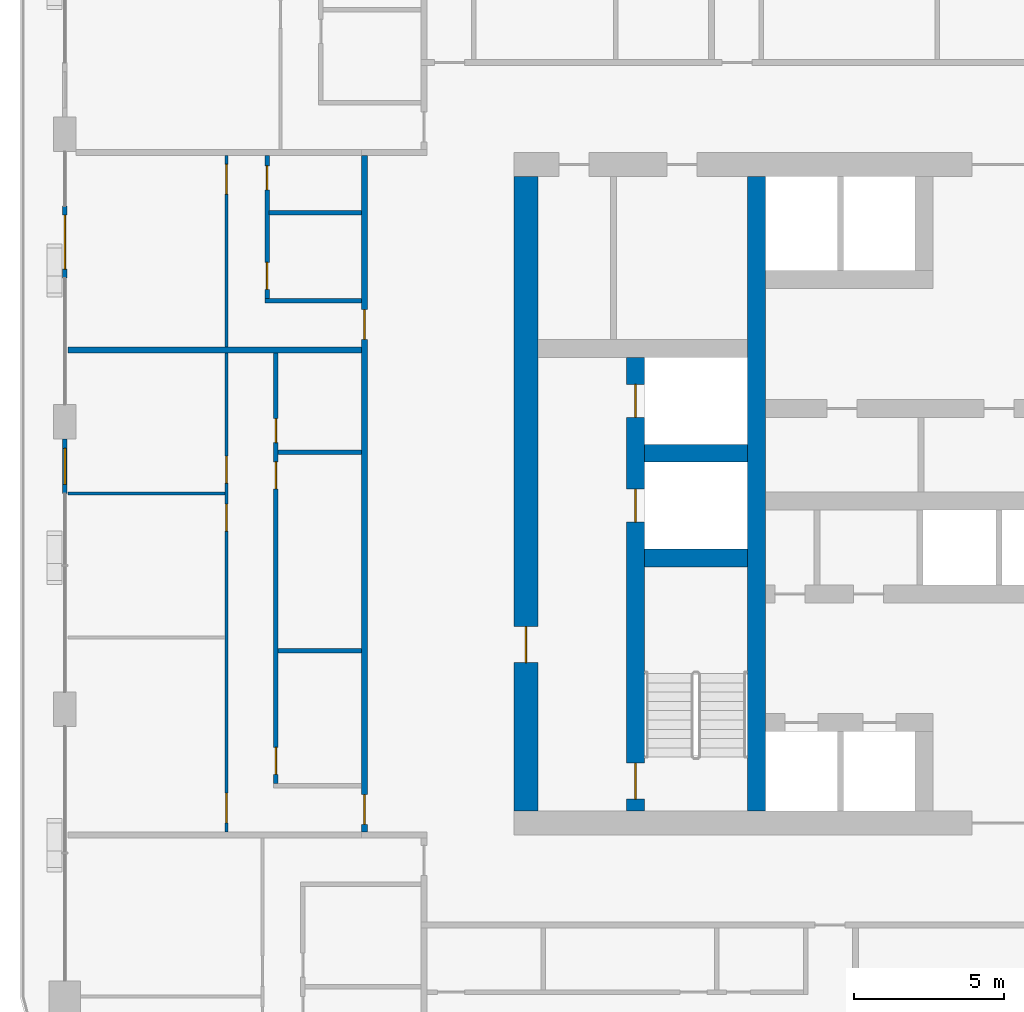
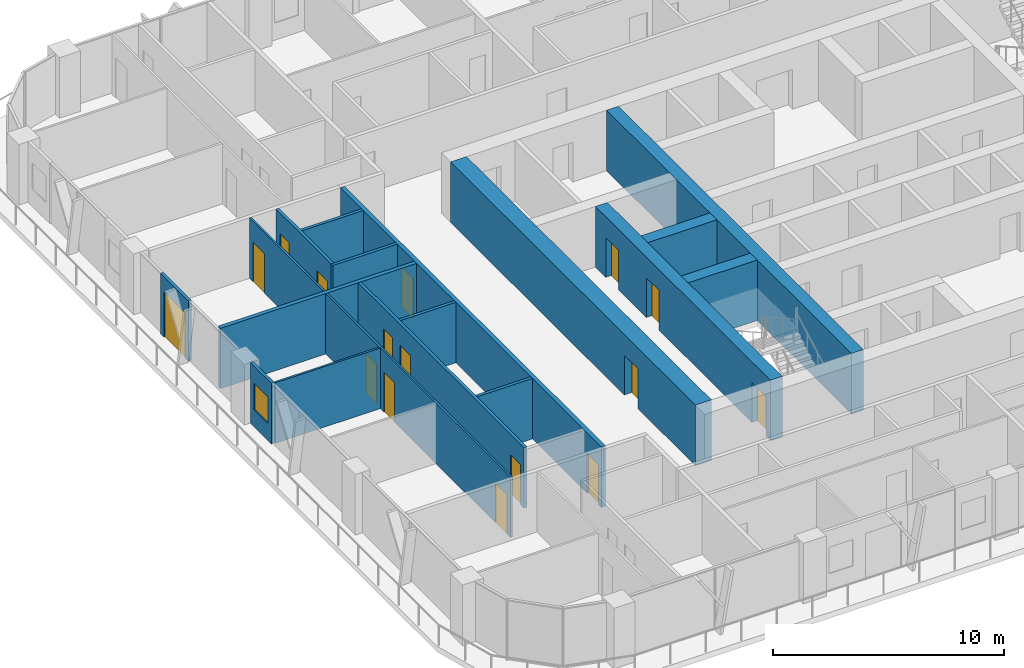
# One storey, part 10 of 23: 18 walls, 16 doors, 1 window, 17 openings.
"""IFC4 building model written with IfcOpenShell, lengths in metres."""

from ifc_helpers import new_model, si_unit, direction, frame, frame_2d, origin, place, context, subcontext, project, spatial, rectangle, extrude, material, layer, layer_set, type_object, element, fill, save


model = new_model("IFC4")

# Units and contexts
model_context = context("Model", 3, precision=1e-05, world=origin(), true_north=direction((0.0, 1.0)))
body_context = subcontext(model_context, "Body", "Model", "MODEL_VIEW")
ifc_project = project(units=[si_unit("LENGTHUNIT", "METRE"), si_unit("AREAUNIT", "SQUARE_METRE"), si_unit("VOLUMEUNIT", "CUBIC_METRE"), si_unit("PLANEANGLEUNIT", "RADIAN"), si_unit("MASSUNIT", "GRAM", prefix="KILO")], contexts=[model_context])

# Site, building, storey
site_placement = place(None, origin())
site = spatial("IfcSite", under=ifc_project, at=site_placement, CompositionType="ELEMENT")
building_placement = place(site_placement, origin())
building = spatial("IfcBuilding", under=site, at=building_placement, Name="Madar Terraces", CompositionType="ELEMENT")
storey_placement = place(building_placement, frame((0.0, 0.0, 133.10009765625)))
storey = spatial("IfcBuildingStorey", under=building, at=storey_placement, Name="L34", CompositionType="ELEMENT", Elevation=133.10009765625)

# Wall, openings, doors
ifc_material_1 = material(Name="Concrete C70/85", Category="concrete")
ifc_layer_1 = layer(ifc_material_1, 0.60009765625)
ifc_layer_set_1 = layer_set([ifc_layer_1], Name="Concrete C70/85 (CIW3 RC wall 600)")
wall_type_1 = type_object("IfcWallType", Name="CIW3 RC wall 600", PredefinedType="SHEAR", material=ifc_layer_set_1)
wall_1_placement = place(storey_placement, frame((19.050048828125, 15.800048828125, 0.0), z_axis=(0.0, 0.0, 1.0), x_axis=(0.0, 1.0, 0.0)))
wall_1 = element("IfcWall", 1, at=wall_1_placement, inside=storey, type_object=wall_type_1, Name="CORE SHAFT WALL", PredefinedType="SHEAR", context=body_context, shape_type="SweptSolid", body=[
    extrude(rectangle(XDim=15.14990234375, YDim=0.60009765625, at=frame_2d((7.574951171875, 0.0))), origin(), (0.0, 0.0, 1.0), 3.199951171875),
])
opening_1_placement = place(wall_1_placement, frame((9.64990234375, 0.0, 0.0)))
opening_1 = element("IfcOpeningElement", 2, at=opening_1_placement, cuts=wall_1, Name="Opening LD", PredefinedType="OPENING", context=body_context, shape_type="SweptSolid", body=[
    extrude(rectangle(XDim=1.10009765625, YDim=2.10009765625, at=frame_2d((0.550048828125, 1.050048828125))), frame((0.0, 0.31005859375, 0.0), z_axis=(0.0, -1.0, 0.0), x_axis=(1.0, 0.0, 0.0)), (0.0, 0.0, 1.0), 0.6201171875),
])
opening_2_placement = place(wall_1_placement, frame((13.14990234375, 0.0, 0.0)))
opening_2 = element("IfcOpeningElement", 3, at=opening_2_placement, cuts=wall_1, Name="Opening LD", PredefinedType="OPENING", context=body_context, shape_type="SweptSolid", body=[
    extrude(rectangle(XDim=1.10009765625, YDim=2.10009765625, at=frame_2d((0.550048828125, 1.050048828125))), frame((0.0, 0.31005859375, 0.0), z_axis=(0.0, -1.0, 0.0), x_axis=(1.0, 0.0, 0.0)), (0.0, 0.0, 1.0), 0.6201171875),
])
opening_3_placement = place(wall_1_placement, frame((0.39990234375, 0.0, 0.0)))
opening_3 = element("IfcOpeningElement", 4, at=opening_3_placement, cuts=wall_1, Name="Opening SD1", PredefinedType="OPENING", context=body_context, shape_type="SweptSolid", body=[
    extrude(rectangle(XDim=1.199951171875, YDim=2.10009765625, at=frame_2d((0.60009765625, 1.050048828125))), frame((0.0, 0.31005859375, 0.0), z_axis=(0.0, -1.0, 0.0), x_axis=(1.0, 0.0, 0.0)), (0.0, 0.0, 1.0), 0.6201171875),
])
ifc_material_2 = material(Name="Stainless steel panel", Category="steel")
door_type_1 = type_object("IfcDoorType", Name="Lift landing door 1100 x 2100", OperationType="DOUBLE_DOOR_SLIDING", PredefinedType="DOOR", material=ifc_material_2)
door_1_placement = place(opening_1_placement, origin())
door_1 = element("IfcDoor", 5, at=door_1_placement, inside=storey, type_object=door_type_1, Name="LIFT LANDING DOOR", OperationType="DOUBLE_DOOR_SLIDING", OverallHeight=2.10009765625, OverallWidth=1.10009765625, PredefinedType="DOOR", context=body_context, shape_type="SweptSolid", body=[
    extrude(rectangle(XDim=1.10009765625, YDim=2.10009765625, at=frame_2d((0.550048828125, 1.050048828125))), frame((0.0, 0.02490234375, 0.0), z_axis=(0.0, -1.0, 0.0), x_axis=(1.0, 0.0, 0.0)), (0.0, 0.0, 1.0), 0.050048828125),
])
fill(opening_1, door_1)
door_2_placement = place(opening_2_placement, origin())
door_2 = element("IfcDoor", 6, at=door_2_placement, inside=storey, type_object=door_type_1, Name="LIFT LANDING DOOR", OperationType="DOUBLE_DOOR_SLIDING", OverallHeight=2.10009765625, OverallWidth=1.10009765625, PredefinedType="DOOR", context=body_context, shape_type="SweptSolid", body=[
    extrude(rectangle(XDim=1.10009765625, YDim=2.10009765625, at=frame_2d((0.550048828125, 1.050048828125))), frame((0.0, 0.02490234375, 0.0), z_axis=(0.0, -1.0, 0.0), x_axis=(1.0, 0.0, 0.0)), (0.0, 0.0, 1.0), 0.050048828125),
])
fill(opening_2, door_2)
ifc_material_3 = material(Name="Steel door leaf", Category="steel")
door_type_2 = type_object("IfcDoorType", Name="Stair door 1200 x 2100", OperationType="NOTDEFINED", PredefinedType="DOOR", material=ifc_material_3)
door_3_placement = place(opening_3_placement, frame((1.199951171875, 0.0, 0.0), z_axis=(0.0, 0.0, 1.0), x_axis=(-1.0, 0.0, 0.0)))
door_3 = element("IfcDoor", 7, at=door_3_placement, inside=storey, type_object=door_type_2, Name="STAIR DOOR", OperationType="SINGLE_SWING_RIGHT", OverallHeight=2.10009765625, OverallWidth=1.199951171875, PredefinedType="DOOR", context=body_context, shape_type="SweptSolid", body=[
    extrude(rectangle(XDim=1.199951171875, YDim=2.10009765625, at=frame_2d((0.60009765625, 1.050048828125))), frame((0.0, 0.02490234375, 0.0), z_axis=(0.0, -1.0, 0.0), x_axis=(1.0, 0.0, 0.0)), (0.0, 0.0, 1.0), 0.050048828125),
])
fill(opening_3, door_3)

# Walls
wall_2_placement = place(storey_placement, frame((23.10009765625, 15.800048828125, 0.0), z_axis=(0.0, 0.0, 1.0), x_axis=(0.0, 1.0, 0.0)))
element("IfcWall", 8, at=wall_2_placement, inside=storey, type_object=wall_type_1, Name="CORE SHAFT WALL", PredefinedType="SHEAR", context=body_context, shape_type="SweptSolid", body=[
    extrude(rectangle(XDim=21.199951171875, YDim=0.60009765625, at=frame_2d((10.60009765625, 0.0))), origin(), (0.0, 0.0, 1.0), 3.199951171875),
])
for number, where, z_axis, x_axis, name in (
    (9, (19.35009765625, 24.25, 0.0), (0.0, 0.0, 1.0), (1.0, 0.0, 0.0), "CORE SHAFT WALL"),
    (10, (19.35009765625, 27.75, 0.0), (0.0, 0.0, 1.0), (1.0, 0.0, 0.0), "CORE SHAFT WALL"),
):
    element("IfcWall", number, at=place(storey_placement, frame(where, z_axis=z_axis, x_axis=x_axis)), inside=storey, type_object=wall_type_1, Name=name, PredefinedType="SHEAR", context=body_context, shape_type="SweptSolid", body=[
        extrude(rectangle(XDim=3.449951171875, YDim=0.60009765625, at=frame_2d((1.72509765625, 0.0))), origin(), (0.0, 0.0, 1.0), 3.199951171875),
    ])

# Wall, opening, door
ifc_material_4 = material(Name="Concrete C70/85", Category="concrete")
ifc_layer_2 = layer(ifc_material_4, 0.800048828125)
ifc_layer_set_2 = layer_set([ifc_layer_2], Name="Concrete C70/85 (CRW3 RC wall 800)")
wall_type_2 = type_object("IfcWallType", Name="CRW3 RC wall 800", PredefinedType="SHEAR", material=ifc_layer_set_2)
wall_3_placement = place(storey_placement, frame((15.39990234375, 15.800048828125, 0.0), z_axis=(0.0, 0.0, 1.0), x_axis=(0.0, 1.0, 0.0)))
wall_3 = element("IfcWall", 11, at=wall_3_placement, inside=storey, type_object=wall_type_2, Name="CORE OUTER WALL", PredefinedType="SHEAR", context=body_context, shape_type="SweptSolid", body=[
    extrude(rectangle(XDim=21.199951171875, YDim=0.800048828125, at=frame_2d((10.60009765625, 0.0))), origin(), (0.0, 0.0, 1.0), 3.199951171875),
])
opening_4_placement = place(wall_3_placement, frame((4.9599609375, 0.0, 0.0)))
opening_4 = element("IfcOpeningElement", 12, at=opening_4_placement, cuts=wall_3, Name="Opening SD1", PredefinedType="OPENING", context=body_context, shape_type="SweptSolid", body=[
    extrude(rectangle(XDim=1.199951171875, YDim=2.10009765625, at=frame_2d((0.60009765625, 1.050048828125))), frame((0.0, 0.409912109375, 0.0), z_axis=(0.0, -1.0, 0.0), x_axis=(1.0, 0.0, 0.0)), (0.0, 0.0, 1.0), 0.820068359375),
])
door_4_placement = place(opening_4_placement, frame((1.199951171875, 0.0, 0.0), z_axis=(0.0, 0.0, 1.0), x_axis=(-1.0, 0.0, 0.0)))
door_4 = element("IfcDoor", 13, at=door_4_placement, inside=storey, type_object=door_type_2, Name="STAIR DOOR", OperationType="SINGLE_SWING_LEFT", OverallHeight=2.10009765625, OverallWidth=1.199951171875, PredefinedType="DOOR", context=body_context, shape_type="SweptSolid", body=[
    extrude(rectangle(XDim=1.199951171875, YDim=2.10009765625, at=frame_2d((0.60009765625, 1.050048828125))), frame((0.0, 0.02490234375, 0.0), z_axis=(0.0, -1.0, 0.0), x_axis=(1.0, 0.0, 0.0)), (0.0, 0.0, 1.0), 0.050048828125),
])
fill(opening_4, door_4)

ifc_material_5 = material(Name="Aluminium composite panel, black, over insulated backing", Category="aluminium")
ifc_layer_3 = layer(ifc_material_5, 0.14990234375)
ifc_layer_set_3 = layer_set([ifc_layer_3], Name="Facade bay panel 150")
wall_type_3 = type_object("IfcWallType", Name="Facade bay panel 150", PredefinedType="SOLIDWALL", material=ifc_layer_set_3)
wall_4_placement = place(storey_placement, frame((0.0, 36.0, 0.0), z_axis=(0.0, 0.0, 1.0), x_axis=(0.0, -1.0, 0.0)))
wall_4 = element("IfcWall", 14, at=wall_4_placement, inside=storey, type_object=wall_type_3, Name="Facade bay panel", PredefinedType="SOLIDWALL", context=body_context, shape_type="SweptSolid", body=[
    extrude(rectangle(XDim=2.39990234375, YDim=0.14990234375, at=frame_2d((1.199951171875, 0.0))), origin(), (0.0, 0.0, 1.0), 3.199951171875),
])
opening_5_placement = place(wall_4_placement, frame((0.300048828125, 0.0, 0.0)))
opening_5 = element("IfcOpeningElement", 15, at=opening_5_placement, cuts=wall_4, Name="Opening ED1", PredefinedType="OPENING", context=body_context, shape_type="SweptSolid", body=[
    extrude(rectangle(XDim=1.800048828125, YDim=2.39990234375, at=frame_2d((0.89990234375, 1.199951171875))), frame((0.0, 0.0849609375, 0.0), z_axis=(0.0, -1.0, 0.0), x_axis=(1.0, 0.0, 0.0)), (0.0, 0.0, 1.0), 0.169921875),
])
ifc_material_6 = material(Name="Glass, clear, with black aluminium frame", Category="aluminium")
door_type_3 = type_object("IfcDoorType", Name="Balcony and terrace sliding door 1800 x 2400", OperationType="SLIDING_TO_LEFT", PredefinedType="DOOR", material=ifc_material_6)
door_5_placement = place(opening_5_placement, origin())
door_5 = element("IfcDoor", 16, at=door_5_placement, inside=storey, type_object=door_type_3, Name="Balcony door", OperationType="SLIDING_TO_LEFT", OverallHeight=2.39990234375, OverallWidth=1.800048828125, PredefinedType="DOOR", context=body_context, shape_type="SweptSolid", body=[
    extrude(rectangle(XDim=1.800048828125, YDim=2.39990234375, at=frame_2d((0.89990234375, 1.199951171875))), frame((0.0, 0.02490234375, 0.0), z_axis=(0.0, -1.0, 0.0), x_axis=(1.0, 0.0, 0.0)), (0.0, 0.0, 1.0), 0.050048828125),
])
fill(opening_5, door_5)

# Wall, opening, window
wall_5_placement = place(storey_placement, frame((0.0, 28.22509765625, 0.0), z_axis=(0.0, 0.0, 1.0), x_axis=(0.0, -1.0, 0.0)))
wall_5 = element("IfcWall", 17, at=wall_5_placement, inside=storey, type_object=wall_type_3, Name="Facade bay panel", PredefinedType="SOLIDWALL", context=body_context, shape_type="SweptSolid", body=[
    extrude(rectangle(XDim=1.8251953125, YDim=0.14990234375, at=frame_2d((0.91259765625, 0.0))), origin(), (0.0, 0.0, 1.0), 3.199951171875),
])
opening_6_placement = place(wall_5_placement, frame((0.3125, 0.0, 0.89990234375)))
opening_6 = element("IfcOpeningElement", 18, at=opening_6_placement, cuts=wall_5, Name="Opening W1", PredefinedType="OPENING", context=body_context, shape_type="SweptSolid", body=[
    extrude(rectangle(XDim=1.199951171875, YDim=1.39990234375, at=frame_2d((0.60009765625, 0.699951171875))), frame((0.0, 0.0849609375, 0.0), z_axis=(0.0, -1.0, 0.0), x_axis=(1.0, 0.0, 0.0)), (0.0, 0.0, 1.0), 0.169921875),
])
ifc_material_7 = material(Name="Glass, clear, with black aluminium frame", Category="aluminium")
window_type = type_object("IfcWindowType", Name="Vent window 1200 x 1400", PartitioningType="SINGLE_PANEL", PredefinedType="WINDOW", material=ifc_material_7)
window_placement = place(opening_6_placement, origin())
window = element("IfcWindow", 19, at=window_placement, inside=storey, type_object=window_type, Name="Operable vent window", OverallHeight=1.39990234375, OverallWidth=1.199951171875, PartitioningType="SINGLE_PANEL", PredefinedType="WINDOW", context=body_context, shape_type="SweptSolid", body=[
    extrude(rectangle(XDim=1.199951171875, YDim=1.39990234375, at=frame_2d((0.60009765625, 0.699951171875))), frame((0.0, 0.030029296875, 0.0), z_axis=(0.0, -1.0, 0.0), x_axis=(1.0, 0.0, 0.0)), (0.0, 0.0, 1.0), 0.06005859375),
])
fill(opening_6, window)

# Wall, opening, door
ifc_material_8 = material(Name="Gypsum board on steel studs", Category="steel")
ifc_layer_4 = layer(ifc_material_8, 0.10009765625)
ifc_layer_set_4 = layer_set([ifc_layer_4], Name="Flat partition 100")
wall_type_4 = type_object("IfcWallType", Name="Flat partition 100", PredefinedType="PARTITIONING", material=ifc_layer_set_4)
wall_6_placement = place(storey_placement, frame((5.39990234375, 31.300048828125, 0.0), z_axis=(0.0, 0.0, 1.0), x_axis=(0.0, 1.0, 0.0)))
wall_6 = element("IfcWall", 20, at=wall_6_placement, inside=storey, type_object=wall_type_4, Name="Flat partition 100", PredefinedType="PARTITIONING", context=body_context, shape_type="SweptSolid", body=[
    extrude(rectangle(XDim=6.39990234375, YDim=0.10009765625, at=frame_2d((3.199951171875, 0.0))), origin(), (0.0, 0.0, 1.0), 3.199951171875),
])
opening_7_placement = place(wall_6_placement, frame((5.10009765625, 0.0, 0.0)))
opening_7 = element("IfcOpeningElement", 21, at=opening_7_placement, cuts=wall_6, Name="Opening D3", PredefinedType="OPENING", context=body_context, shape_type="SweptSolid", body=[
    extrude(rectangle(XDim=1.0, YDim=2.10009765625, at=frame_2d((0.5, 1.050048828125))), frame((0.0, 0.06005859375, 0.0), z_axis=(0.0, -1.0, 0.0), x_axis=(1.0, 0.0, 0.0)), (0.0, 0.0, 1.0), 0.1201171875),
])
ifc_material_9 = material(Name="Timber door leaf", Category="wood")
door_type_4 = type_object("IfcDoorType", Name="Flat living room door 1000", OperationType="NOTDEFINED", PredefinedType="DOOR", material=ifc_material_9)
door_6_placement = place(opening_7_placement, origin())
door_6 = element("IfcDoor", 22, at=door_6_placement, inside=storey, type_object=door_type_4, Name="Flat living room door 1000", OperationType="SINGLE_SWING_RIGHT", OverallHeight=2.10009765625, OverallWidth=1.0, PredefinedType="DOOR", context=body_context, shape_type="SweptSolid", body=[
    extrude(rectangle(XDim=1.0, YDim=2.10009765625, at=frame_2d((0.5, 1.050048828125))), frame((0.0, 0.02490234375, 0.0), z_axis=(0.0, -1.0, 0.0), x_axis=(1.0, 0.0, 0.0)), (0.0, 0.0, 1.0), 0.050048828125),
])
fill(opening_7, door_6)

# Wall
wall_7_placement = place(storey_placement, frame((5.35009765625, 26.39990234375, 0.0), z_axis=(0.0, 0.0, 1.0), x_axis=(-1.0, 0.0, 0.0)))
element("IfcWall", 23, at=wall_7_placement, inside=storey, type_object=wall_type_4, Name="Flat partition 100", PredefinedType="PARTITIONING", context=body_context, shape_type="SweptSolid", body=[
    extrude(rectangle(XDim=5.25, YDim=0.10009765625, at=frame_2d((2.625, 0.0))), origin(), (0.0, 0.0, 1.0), 3.199951171875),
])

# Wall, openings, doors
wall_8_placement = place(storey_placement, frame((5.39990234375, 15.10009765625, 0.0), z_axis=(0.0, 0.0, 1.0), x_axis=(0.0, 1.0, 0.0)))
wall_8 = element("IfcWall", 24, at=wall_8_placement, inside=storey, type_object=wall_type_4, Name="Flat partition 100", PredefinedType="PARTITIONING", context=body_context, shape_type="SweptSolid", body=[
    extrude(rectangle(XDim=16.0, YDim=0.10009765625, at=frame_2d((8.0, 0.0))), origin(), (0.0, 0.0, 1.0), 3.199951171875),
])
opening_8_placement = place(wall_8_placement, frame((0.300048828125, 0.0, 0.0)))
opening_8 = element("IfcOpeningElement", 25, at=opening_8_placement, cuts=wall_8, Name="Opening D3", PredefinedType="OPENING", context=body_context, shape_type="SweptSolid", body=[
    extrude(rectangle(XDim=1.0, YDim=2.10009765625, at=frame_2d((0.5, 1.050048828125))), frame((0.0, 0.06005859375, 0.0), z_axis=(0.0, -1.0, 0.0), x_axis=(1.0, 0.0, 0.0)), (0.0, 0.0, 1.0), 0.1201171875),
])
opening_9_placement = place(wall_8_placement, frame((10.050048828125, 0.0, 0.0)))
opening_9 = element("IfcOpeningElement", 26, at=opening_9_placement, cuts=wall_8, Name="Opening D2", PredefinedType="OPENING", context=body_context, shape_type="SweptSolid", body=[
    extrude(rectangle(XDim=0.89990234375, YDim=2.10009765625, at=frame_2d((0.449951171875, 1.050048828125))), frame((0.0, 0.06005859375, 0.0), z_axis=(0.0, -1.0, 0.0), x_axis=(1.0, 0.0, 0.0)), (0.0, 0.0, 1.0), 0.1201171875),
])
opening_10_placement = place(wall_8_placement, frame((11.64990234375, 0.0, 0.0)))
opening_10 = element("IfcOpeningElement", 27, at=opening_10_placement, cuts=wall_8, Name="Opening D2", PredefinedType="OPENING", context=body_context, shape_type="SweptSolid", body=[
    extrude(rectangle(XDim=0.89990234375, YDim=2.10009765625, at=frame_2d((0.449951171875, 1.050048828125))), frame((0.0, 0.06005859375, 0.0), z_axis=(0.0, -1.0, 0.0), x_axis=(1.0, 0.0, 0.0)), (0.0, 0.0, 1.0), 0.1201171875),
])
door_7_placement = place(opening_8_placement, origin())
door_7 = element("IfcDoor", 28, at=door_7_placement, inside=storey, type_object=door_type_4, Name="Flat living room door 1000", OperationType="SINGLE_SWING_LEFT", OverallHeight=2.10009765625, OverallWidth=1.0, PredefinedType="DOOR", context=body_context, shape_type="SweptSolid", body=[
    extrude(rectangle(XDim=1.0, YDim=2.10009765625, at=frame_2d((0.5, 1.050048828125))), frame((0.0, 0.02490234375, 0.0), z_axis=(0.0, -1.0, 0.0), x_axis=(1.0, 0.0, 0.0)), (0.0, 0.0, 1.0), 0.050048828125),
])
fill(opening_8, door_7)
ifc_material_10 = material(Name="Timber door leaf", Category="wood")
door_type_5 = type_object("IfcDoorType", Name="Flat room door 900", OperationType="NOTDEFINED", PredefinedType="DOOR", material=ifc_material_10)
door_8_placement = place(opening_9_placement, origin())
door_8 = element("IfcDoor", 29, at=door_8_placement, inside=storey, type_object=door_type_5, Name="Flat room door 900", OperationType="SINGLE_SWING_RIGHT", OverallHeight=2.10009765625, OverallWidth=0.89990234375, PredefinedType="DOOR", context=body_context, shape_type="SweptSolid", body=[
    extrude(rectangle(XDim=0.89990234375, YDim=2.10009765625, at=frame_2d((0.449951171875, 1.050048828125))), frame((0.0, 0.02490234375, 0.0), z_axis=(0.0, -1.0, 0.0), x_axis=(1.0, 0.0, 0.0)), (0.0, 0.0, 1.0), 0.050048828125),
])
fill(opening_9, door_8)
door_9_placement = place(opening_10_placement, origin())
door_9 = element("IfcDoor", 30, at=door_9_placement, inside=storey, type_object=door_type_5, Name="Flat room door 900", OperationType="SINGLE_SWING_LEFT", OverallHeight=2.10009765625, OverallWidth=0.89990234375, PredefinedType="DOOR", context=body_context, shape_type="SweptSolid", body=[
    extrude(rectangle(XDim=0.89990234375, YDim=2.10009765625, at=frame_2d((0.449951171875, 1.050048828125))), frame((0.0, 0.02490234375, 0.0), z_axis=(0.0, -1.0, 0.0), x_axis=(1.0, 0.0, 0.0)), (0.0, 0.0, 1.0), 0.050048828125),
])
fill(opening_10, door_9)

ifc_material_11 = material(Name="Lightweight blockwork", Category="masonry")
ifc_layer_5 = layer(ifc_material_11, 0.199951171875)
ifc_layer_set_5 = layer_set([ifc_layer_5], Name="Flat party and entrance wall 200")
wall_type_5 = type_object("IfcWallType", Name="Flat party and entrance wall 200", PredefinedType="PARTITIONING", material=ifc_layer_set_5)
wall_9_placement = place(storey_placement, frame((10.0, 15.10009765625, 0.0), z_axis=(0.0, 0.0, 1.0), x_axis=(0.0, 1.0, 0.0)))
wall_9 = element("IfcWall", 31, at=wall_9_placement, inside=storey, type_object=wall_type_5, Name="Flat party and entrance wall 200", PredefinedType="PARTITIONING", context=body_context, shape_type="SweptSolid", body=[
    extrude(rectangle(XDim=22.599853515625, YDim=0.199951171875, at=frame_2d((11.2998046875, 0.0))), origin(), (0.0, 0.0, 1.0), 3.199951171875),
])
opening_11_placement = place(wall_9_placement, frame((16.449951171875, 0.0, 0.0)))
opening_11 = element("IfcOpeningElement", 32, at=opening_11_placement, cuts=wall_9, Name="Opening D1", PredefinedType="OPENING", context=body_context, shape_type="SweptSolid", body=[
    extrude(rectangle(XDim=1.0, YDim=2.10009765625, at=frame_2d((0.5, 1.050048828125))), frame((0.0, 0.10986328125, 0.0), z_axis=(0.0, -1.0, 0.0), x_axis=(1.0, 0.0, 0.0)), (0.0, 0.0, 1.0), 0.219970703125),
])
opening_12_placement = place(wall_9_placement, frame((0.25, 0.0, 0.0)))
opening_12 = element("IfcOpeningElement", 33, at=opening_12_placement, cuts=wall_9, Name="Opening D1", PredefinedType="OPENING", context=body_context, shape_type="SweptSolid", body=[
    extrude(rectangle(XDim=1.0, YDim=2.10009765625, at=frame_2d((0.5, 1.050048828125))), frame((0.0, 0.10986328125, 0.0), z_axis=(0.0, -1.0, 0.0), x_axis=(1.0, 0.0, 0.0)), (0.0, 0.0, 1.0), 0.219970703125),
])
ifc_material_12 = material(Name="Timber fire door leaf", Category="wood")
door_type_6 = type_object("IfcDoorType", Name="Flat entrance door 1000 FD30S", OperationType="NOTDEFINED", PredefinedType="DOOR", material=ifc_material_12)
door_10_placement = place(opening_11_placement, origin())
door_10 = element("IfcDoor", 34, at=door_10_placement, inside=storey, type_object=door_type_6, Name="Flat entrance door 1000 FD30S", OperationType="SINGLE_SWING_LEFT", OverallHeight=2.10009765625, OverallWidth=1.0, PredefinedType="DOOR", context=body_context, shape_type="SweptSolid", body=[
    extrude(rectangle(XDim=1.0, YDim=2.10009765625, at=frame_2d((0.5, 1.050048828125))), frame((0.0, 0.02490234375, 0.0), z_axis=(0.0, -1.0, 0.0), x_axis=(1.0, 0.0, 0.0)), (0.0, 0.0, 1.0), 0.050048828125),
])
fill(opening_11, door_10)
door_11_placement = place(opening_12_placement, origin())
door_11 = element("IfcDoor", 35, at=door_11_placement, inside=storey, type_object=door_type_6, Name="Flat entrance door 1000 FD30S", OperationType="SINGLE_SWING_LEFT", OverallHeight=2.10009765625, OverallWidth=1.0, PredefinedType="DOOR", context=body_context, shape_type="SweptSolid", body=[
    extrude(rectangle(XDim=1.0, YDim=2.10009765625, at=frame_2d((0.5, 1.050048828125))), frame((0.0, 0.02490234375, 0.0), z_axis=(0.0, -1.0, 0.0), x_axis=(1.0, 0.0, 0.0)), (0.0, 0.0, 1.0), 0.050048828125),
])
fill(opening_12, door_11)

# Walls
wall_10_placement = place(storey_placement, frame((0.10009765625, 31.199951171875, 0.0), z_axis=(0.0, 0.0, 1.0), x_axis=(1.0, 0.0, 0.0)))
element("IfcWall", 36, at=wall_10_placement, inside=storey, type_object=wall_type_5, Name="Flat party and entrance wall 200", PredefinedType="PARTITIONING", context=body_context, shape_type="SweptSolid", body=[
    extrude(rectangle(XDim=9.7998046875, YDim=0.199951171875, at=frame_2d((4.89990234375, 0.0))), origin(), (0.0, 0.0, 1.0), 3.199951171875),
])
ifc_material_13 = material(Name="Lightweight blockwork", Category="masonry")
ifc_layer_6 = layer(ifc_material_13, 0.14990234375)
ifc_layer_set_6 = layer_set([ifc_layer_6], Name="Flat wet-room partition 150")
wall_type_6 = type_object("IfcWallType", Name="Flat wet-room partition 150", PredefinedType="PARTITIONING", material=ifc_layer_set_6)
wall_11_placement = place(storey_placement, frame((9.89990234375, 35.7900390625, 0.0), z_axis=(0.0, 0.0, 1.0), x_axis=(-1.0, 0.0, 0.0)))
element("IfcWall", 37, at=wall_11_placement, inside=storey, type_object=wall_type_6, Name="Flat wet-room partition 150", PredefinedType="PARTITIONING", context=body_context, shape_type="SweptSolid", body=[
    extrude(rectangle(XDim=3.074951171875, YDim=0.14990234375, at=frame_2d((1.53759765625, 0.0))), origin(), (0.0, 0.0, 1.0), 3.199951171875),
])
wall_12_placement = place(storey_placement, frame((9.89990234375, 32.85009765625, 0.0), z_axis=(0.0, 0.0, 1.0), x_axis=(-1.0, 0.0, 0.0)))
element("IfcWall", 38, at=wall_12_placement, inside=storey, type_object=wall_type_6, Name="Flat wet-room partition 150", PredefinedType="PARTITIONING", context=body_context, shape_type="SweptSolid", body=[
    extrude(rectangle(XDim=3.224853515625, YDim=0.14990234375, at=frame_2d((1.6123046875, 0.0))), origin(), (0.0, 0.0, 1.0), 3.199951171875),
])

# Wall, openings, doors
wall_13_placement = place(storey_placement, frame((6.75, 37.699951171875, 0.0), z_axis=(0.0, 0.0, 1.0), x_axis=(0.0, -1.0, 0.0)))
wall_13 = element("IfcWall", 39, at=wall_13_placement, inside=storey, type_object=wall_type_6, Name="Flat wet-room partition 150", PredefinedType="PARTITIONING", context=body_context, shape_type="SweptSolid", body=[
    extrude(rectangle(XDim=4.77490234375, YDim=0.14990234375, at=frame_2d((2.387451171875, 0.0))), origin(), (0.0, 0.0, 1.0), 3.199951171875),
])
opening_13_placement = place(wall_13_placement, frame((3.574951171875, 0.0, 0.0)))
opening_13 = element("IfcOpeningElement", 40, at=opening_13_placement, cuts=wall_13, Name="Opening D2", PredefinedType="OPENING", context=body_context, shape_type="SweptSolid", body=[
    extrude(rectangle(XDim=0.89990234375, YDim=2.10009765625, at=frame_2d((0.449951171875, 1.050048828125))), frame((0.0, 0.0849609375, 0.0), z_axis=(0.0, -1.0, 0.0), x_axis=(1.0, 0.0, 0.0)), (0.0, 0.0, 1.0), 0.169921875),
])
opening_14_placement = place(wall_13_placement, frame((0.35009765625, 0.0, 0.0)))
opening_14 = element("IfcOpeningElement", 41, at=opening_14_placement, cuts=wall_13, Name="Opening D4", PredefinedType="OPENING", context=body_context, shape_type="SweptSolid", body=[
    extrude(rectangle(XDim=0.800048828125, YDim=2.10009765625, at=frame_2d((0.39990234375, 1.050048828125))), frame((0.0, 0.0849609375, 0.0), z_axis=(0.0, -1.0, 0.0), x_axis=(1.0, 0.0, 0.0)), (0.0, 0.0, 1.0), 0.169921875),
])
ifc_material_14 = material(Name="Timber door leaf", Category="wood")
door_type_7 = type_object("IfcDoorType", Name="Flat bathroom door 800", OperationType="NOTDEFINED", PredefinedType="DOOR", material=ifc_material_14)
door_12_placement = place(opening_14_placement, origin())
door_12 = element("IfcDoor", 42, at=door_12_placement, inside=storey, type_object=door_type_7, Name="Flat bathroom door 800", OperationType="SINGLE_SWING_LEFT", OverallHeight=2.10009765625, OverallWidth=0.800048828125, PredefinedType="DOOR", context=body_context, shape_type="SweptSolid", body=[
    extrude(rectangle(XDim=0.800048828125, YDim=2.10009765625, at=frame_2d((0.39990234375, 1.050048828125))), frame((0.0, 0.02490234375, 0.0), z_axis=(0.0, -1.0, 0.0), x_axis=(1.0, 0.0, 0.0)), (0.0, 0.0, 1.0), 0.050048828125),
])
fill(opening_14, door_12)
door_13_placement = place(opening_13_placement, origin())
door_13 = element("IfcDoor", 43, at=door_13_placement, inside=storey, type_object=door_type_5, Name="Flat room door 900", OperationType="SINGLE_SWING_RIGHT", OverallHeight=2.10009765625, OverallWidth=0.89990234375, PredefinedType="DOOR", context=body_context, shape_type="SweptSolid", body=[
    extrude(rectangle(XDim=0.89990234375, YDim=2.10009765625, at=frame_2d((0.449951171875, 1.050048828125))), frame((0.0, 0.02490234375, 0.0), z_axis=(0.0, -1.0, 0.0), x_axis=(1.0, 0.0, 0.0)), (0.0, 0.0, 1.0), 0.050048828125),
])
fill(opening_13, door_13)

# Walls
for number, where, z_axis, x_axis, name in (
    (44, (9.89990234375, 21.148193359375, 0.0), (0.0, 0.0, 1.0), (-1.0, 0.0, 0.0), "Flat wet-room partition 150"),
    (45, (9.89990234375, 27.78271484375, 0.0), (0.0, 0.0, 1.0), (-1.0, 0.0, 0.0), "Flat wet-room partition 150"),
):
    element("IfcWall", number, at=place(storey_placement, frame(where, z_axis=z_axis, x_axis=x_axis)), inside=storey, type_object=wall_type_6, Name=name, PredefinedType="PARTITIONING", context=body_context, shape_type="SweptSolid", body=[
        extrude(rectangle(XDim=2.77490234375, YDim=0.14990234375, at=frame_2d((1.387451171875, 0.0))), origin(), (0.0, 0.0, 1.0), 3.199951171875),
    ])

# Wall, openings, doors
wall_14_placement = place(storey_placement, frame((7.050048828125, 31.10009765625, 0.0), z_axis=(0.0, 0.0, 1.0), x_axis=(0.0, -1.0, 0.0)))
wall_14 = element("IfcWall", 46, at=wall_14_placement, inside=storey, type_object=wall_type_6, Name="Flat wet-room partition 150", PredefinedType="PARTITIONING", context=body_context, shape_type="SweptSolid", body=[
    extrude(rectangle(XDim=14.375, YDim=0.14990234375, at=frame_2d((7.1875, 0.0))), origin(), (0.0, 0.0, 1.0), 3.199951171875),
])
opening_15_placement = place(wall_14_placement, frame((13.175048828125, 0.0, 0.0)))
opening_15 = element("IfcOpeningElement", 47, at=opening_15_placement, cuts=wall_14, Name="Opening D5", PredefinedType="OPENING", context=body_context, shape_type="SweptSolid", body=[
    extrude(rectangle(XDim=0.89990234375, YDim=2.10009765625, at=frame_2d((0.449951171875, 1.050048828125))), frame((0.0, 0.0849609375, 0.0), z_axis=(0.0, -1.0, 0.0), x_axis=(1.0, 0.0, 0.0)), (0.0, 0.0, 1.0), 0.169921875),
])
opening_16_placement = place(wall_14_placement, frame((3.642333984375, 0.0, 0.0)))
opening_16 = element("IfcOpeningElement", 48, at=opening_16_placement, cuts=wall_14, Name="Opening D2", PredefinedType="OPENING", context=body_context, shape_type="SweptSolid", body=[
    extrude(rectangle(XDim=0.89990234375, YDim=2.10009765625, at=frame_2d((0.449951171875, 1.050048828125))), frame((0.0, 0.0849609375, 0.0), z_axis=(0.0, -1.0, 0.0), x_axis=(1.0, 0.0, 0.0)), (0.0, 0.0, 1.0), 0.169921875),
])
opening_17_placement = place(wall_14_placement, frame((2.1923828125, 0.0, 0.0)))
opening_17 = element("IfcOpeningElement", 49, at=opening_17_placement, cuts=wall_14, Name="Opening D4", PredefinedType="OPENING", context=body_context, shape_type="SweptSolid", body=[
    extrude(rectangle(XDim=0.800048828125, YDim=2.10009765625, at=frame_2d((0.39990234375, 1.050048828125))), frame((0.0, 0.0849609375, 0.0), z_axis=(0.0, -1.0, 0.0), x_axis=(1.0, 0.0, 0.0)), (0.0, 0.0, 1.0), 0.169921875),
])
ifc_material_15 = material(Name="Timber door leaf", Category="wood")
door_type_8 = type_object("IfcDoorType", Name="Flat accessible bathroom door 900", OperationType="NOTDEFINED", PredefinedType="DOOR", material=ifc_material_15)
door_14_placement = place(opening_15_placement, origin())
door_14 = element("IfcDoor", 50, at=door_14_placement, inside=storey, type_object=door_type_8, Name="Flat accessible bathroom door 900", OperationType="SINGLE_SWING_RIGHT", OverallHeight=2.10009765625, OverallWidth=0.89990234375, PredefinedType="DOOR", context=body_context, shape_type="SweptSolid", body=[
    extrude(rectangle(XDim=0.89990234375, YDim=2.10009765625, at=frame_2d((0.449951171875, 1.050048828125))), frame((0.0, 0.02490234375, 0.0), z_axis=(0.0, -1.0, 0.0), x_axis=(1.0, 0.0, 0.0)), (0.0, 0.0, 1.0), 0.050048828125),
])
fill(opening_15, door_14)
door_15_placement = place(opening_17_placement, origin())
door_15 = element("IfcDoor", 51, at=door_15_placement, inside=storey, type_object=door_type_7, Name="Flat bathroom door 800", OperationType="SINGLE_SWING_RIGHT", OverallHeight=2.10009765625, OverallWidth=0.800048828125, PredefinedType="DOOR", context=body_context, shape_type="SweptSolid", body=[
    extrude(rectangle(XDim=0.800048828125, YDim=2.10009765625, at=frame_2d((0.39990234375, 1.050048828125))), frame((0.0, 0.02490234375, 0.0), z_axis=(0.0, -1.0, 0.0), x_axis=(1.0, 0.0, 0.0)), (0.0, 0.0, 1.0), 0.050048828125),
])
fill(opening_17, door_15)
door_16_placement = place(opening_16_placement, origin())
door_16 = element("IfcDoor", 52, at=door_16_placement, inside=storey, type_object=door_type_5, Name="Flat room door 900", OperationType="SINGLE_SWING_LEFT", OverallHeight=2.10009765625, OverallWidth=0.89990234375, PredefinedType="DOOR", context=body_context, shape_type="SweptSolid", body=[
    extrude(rectangle(XDim=0.89990234375, YDim=2.10009765625, at=frame_2d((0.449951171875, 1.050048828125))), frame((0.0, 0.02490234375, 0.0), z_axis=(0.0, -1.0, 0.0), x_axis=(1.0, 0.0, 0.0)), (0.0, 0.0, 1.0), 0.050048828125),
])
fill(opening_16, door_16)

save(model, "model.ifc")
